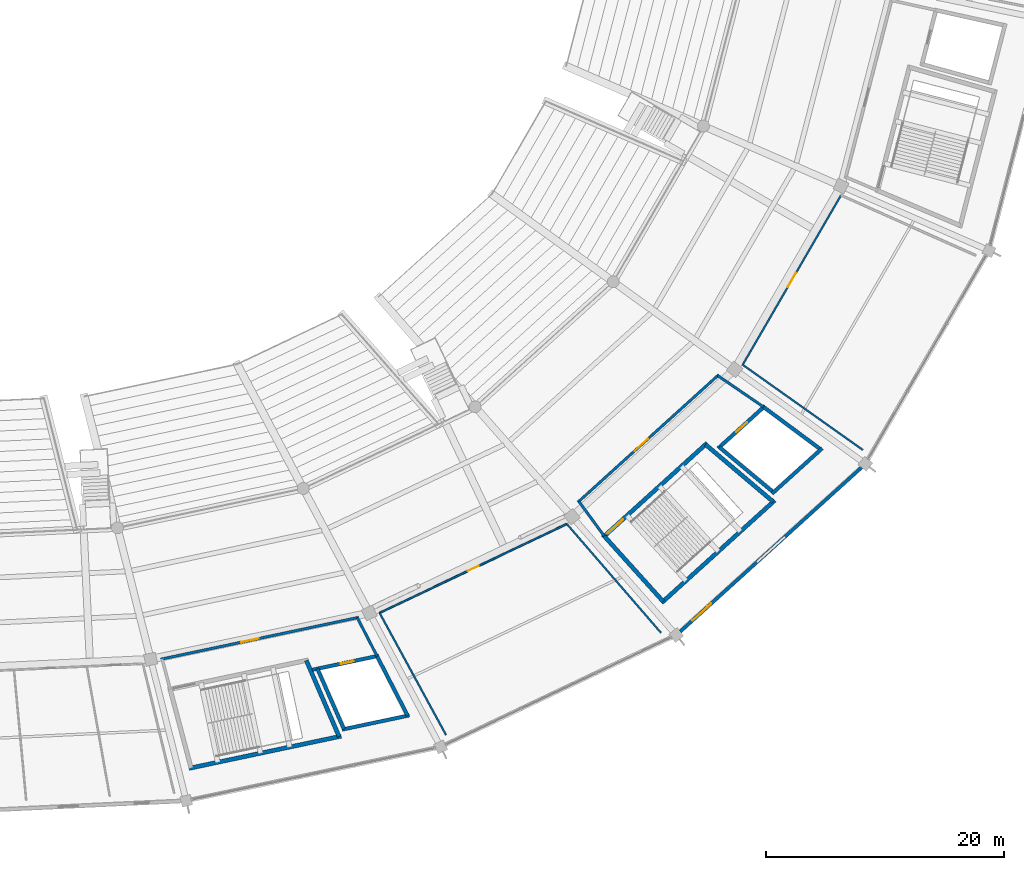
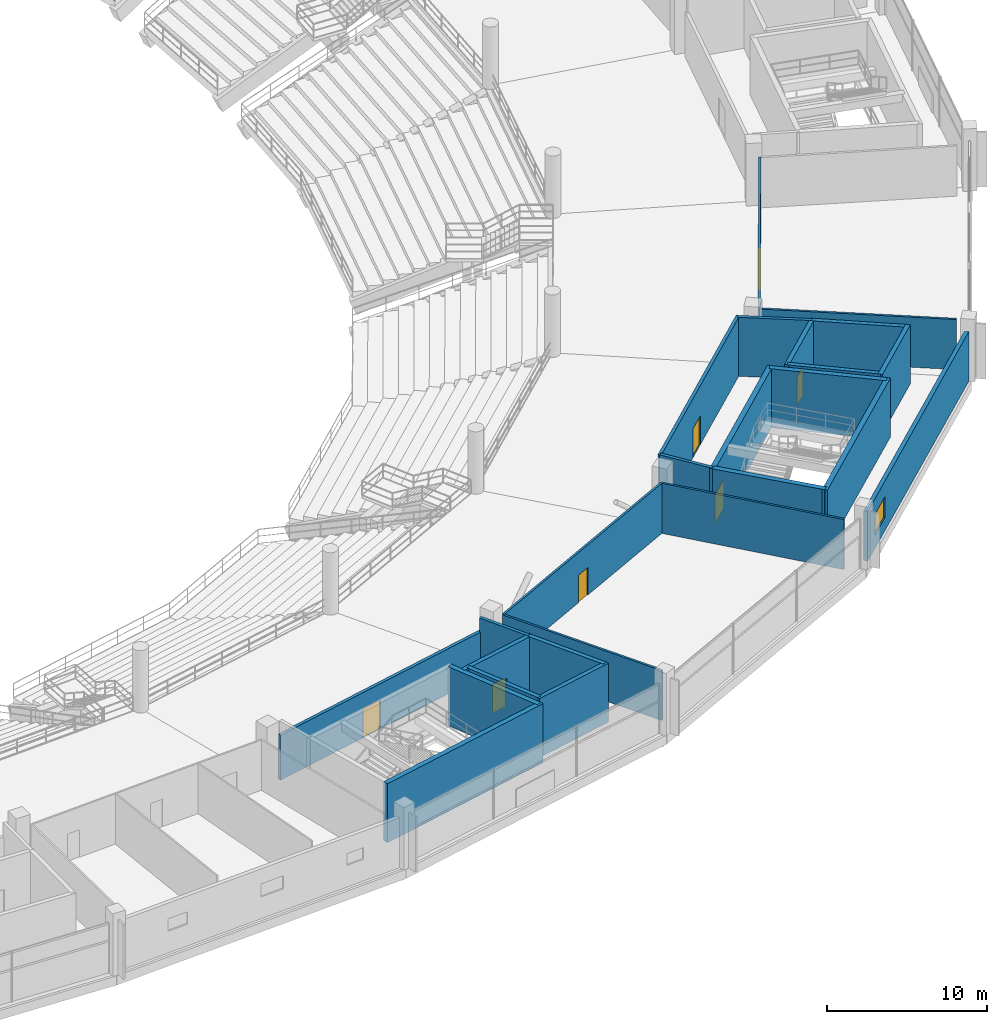
# One storey, part 104 of 156: 25 walls, 7 doors, 1 window, 8 openings.
"""IFC4 building model written with IfcOpenShell, lengths in metres."""

from ifc_helpers import new_model, si_unit, direction, frame, frame_2d, origin, place, context, subcontext, project, spatial, rectangle, extrude, material, layer, layer_set, type_object, element, fill, save


model = new_model("IFC4")

# Units and contexts
model_context = context("Model", 3, precision=1e-05, world=origin(), true_north=direction((0.0, 1.0)))
body_context = subcontext(model_context, "Body", "Model", "MODEL_VIEW")
ifc_project = project(units=[si_unit("LENGTHUNIT", "METRE"), si_unit("AREAUNIT", "SQUARE_METRE"), si_unit("VOLUMEUNIT", "CUBIC_METRE"), si_unit("PLANEANGLEUNIT", "RADIAN"), si_unit("MASSUNIT", "GRAM", prefix="KILO")], contexts=[model_context])

# Site, building, storey
site_placement = place(None, origin())
site = spatial("IfcSite", under=ifc_project, at=site_placement, CompositionType="ELEMENT")
building_placement = place(site_placement, origin())
building = spatial("IfcBuilding", under=site, at=building_placement, Name="Kazemori Nagisa Stadium", CompositionType="ELEMENT")
storey_placement = place(building_placement, frame((0.0, 0.0, 5.780029296875)))
storey = spatial("IfcBuildingStorey", under=building, at=storey_placement, Name="L01", CompositionType="ELEMENT", Elevation=5.780029296875)

# Walls
ifc_material_1 = material(Name="Concrete C40/50 (Fc42)", Category="concrete")
ifc_layer_1 = layer(ifc_material_1, 0.35009765625, Name="Concrete C40/50 (Fc42)", Category="concrete")
ifc_layer_set_1 = layer_set([ifc_layer_1], Name="Concrete C40/50 (Fc42)")
wall_type_1 = type_object("IfcWallType", Name="Wall_W-CORE-350", PredefinedType="SHEAR", material=ifc_layer_set_1)
wall_1_placement = place(storey_placement, frame((144.650390625, 19.745849609375, 0.0), z_axis=(0.0, 0.0, 1.0), x_axis=(0.978345119536, 0.206980257705, 0.0)))
element("IfcWall", 1, at=wall_1_placement, inside=storey, type_object=wall_type_1, Name="Core stair rear shear wall ST06 L01", PredefinedType="SHEAR", context=body_context, shape_type="SweptSolid", body=[
    extrude(rectangle(XDim=13.06689453125, YDim=0.35009765625, at=frame_2d((6.533447265625, 0.0))), origin(), (0.0, 0.0, 1.0), 4.5),
])
wall_2_placement = place(storey_placement, frame((154.5078125, 28.81396484375, 0.0), z_axis=(0.0, 0.0, 1.0), x_axis=(0.395453834155, -0.918485854574, 0.0)))
element("IfcWall", 2, at=wall_2_placement, inside=storey, type_object=wall_type_1, Name="Core stair right shear wall ST06 L01", PredefinedType="SHEAR", context=body_context, shape_type="SweptSolid", body=[
    extrude(rectangle(XDim=6.967529296875, YDim=0.35009765625, at=frame_2d((3.48388671875, 0.0))), origin(), (0.0, 0.0, 1.0), 4.5),
])

# Wall, opening, door
wall_3_placement = place(storey_placement, frame((179.416748046875, 39.139892578125, 0.0), z_axis=(0.0, 0.0, 1.0), x_axis=(0.741348929385, 0.671119784315, 0.0)))
wall_3 = element("IfcWall", 3, at=wall_3_placement, inside=storey, type_object=wall_type_1, Name="Core stair front shear wall ST04 L01", PredefinedType="SHEAR", context=body_context, shape_type="SweptSolid", body=[
    extrude(rectangle(XDim=11.826416015625, YDim=0.35009765625, at=frame_2d((5.9130859375, 0.0))), origin(), (0.0, 0.0, 1.0), 4.5),
])
opening_1_placement = place(wall_3_placement, frame((0.47509765625, 0.0, 0.0)))
opening_1 = element("IfcOpeningElement", 4, at=opening_1_placement, cuts=wall_3, Name="Opening D-ST-1800", PredefinedType="OPENING", context=body_context, shape_type="SweptSolid", body=[
    extrude(rectangle(XDim=1.800048828125, YDim=2.199951171875, at=frame_2d((0.89990234375, 1.10009765625))), frame((0.0, 0.18505859375, 0.0), z_axis=(0.0, -1.0, 0.0), x_axis=(1.0, 0.0, 0.0)), (0.0, 0.0, 1.0), 0.3701171875),
])
ifc_material_2 = material(Name="Galvanised steel sheet", Category="steel")
door_type_1 = type_object("IfcDoorType", Name="Door_D-ST-1800", OperationType="NOTDEFINED", PredefinedType="DOOR", material=ifc_material_2)
door_1_placement = place(opening_1_placement, frame((1.800048828125, 0.0, 0.0), z_axis=(0.0, 0.0, 1.0), x_axis=(-1.0, 0.0, 0.0)))
door_1 = element("IfcDoor", 5, at=door_1_placement, inside=storey, type_object=door_type_1, Name="Exit stair fire door ST04-L01", OperationType="SINGLE_SWING_RIGHT", OverallHeight=2.199951171875, OverallWidth=1.800048828125, PredefinedType="DOOR", context=body_context, shape_type="SweptSolid", body=[
    extrude(rectangle(XDim=1.800048828125, YDim=2.199951171875, at=frame_2d((0.89990234375, 1.10009765625))), frame((0.0, 0.02490234375, 0.0), z_axis=(0.0, -1.0, 0.0), x_axis=(1.0, 0.0, 0.0)), (0.0, 0.0, 1.0), 0.050048828125),
])
fill(opening_1, door_1)

# Walls
wall_4_placement = place(storey_placement, frame((184.361328125, 33.6533203125, 0.0), z_axis=(0.0, 0.0, 1.0), x_axis=(0.741351373721, 0.671117084183, 0.0)))
element("IfcWall", 6, at=wall_4_placement, inside=storey, type_object=wall_type_1, Name="Core stair rear shear wall ST04 L01", PredefinedType="SHEAR", context=body_context, shape_type="SweptSolid", body=[
    extrude(rectangle(XDim=12.830322265625, YDim=0.35009765625, at=frame_2d((6.4150390625, 0.0))), origin(), (0.0, 0.0, 1.0), 4.5),
])
wall_5_placement = place(storey_placement, frame((179.54638671875, 39.25732421875, 0.0), z_axis=(0.0, 0.0, 1.0), x_axis=(0.669463145673, -0.742845270958, 0.0)))
element("IfcWall", 7, at=wall_5_placement, inside=storey, type_object=wall_type_1, Name="Core stair left shear wall ST04 L01", PredefinedType="SHEAR", context=body_context, shape_type="SweptSolid", body=[
    extrude(rectangle(XDim=7.385986328125, YDim=0.35009765625, at=frame_2d((3.69287109375, 0.0))), origin(), (0.0, 0.0, 1.0), 4.5),
])
wall_6_placement = place(storey_placement, frame((188.0546875, 46.95947265625, 0.0), z_axis=(0.0, 0.0, 1.0), x_axis=(0.763422324031, -0.64589964791, 0.0)))
element("IfcWall", 8, at=wall_6_placement, inside=storey, type_object=wall_type_1, Name="Core stair right shear wall ST04 L01", PredefinedType="SHEAR", context=body_context, shape_type="SweptSolid", body=[
    extrude(rectangle(XDim=7.45166015625, YDim=0.35009765625, at=frame_2d((3.725830078125, 0.0))), origin(), (0.0, 0.0, 1.0), 4.5),
])

# Wall, opening, window
ifc_material_3 = material(Name="Concrete C40/50 (Fc42) precast", Category="concrete")
ifc_layer_2 = layer(ifc_material_3, 0.27490234375, Name="Concrete C40/50 (Fc42) precast", Category="concrete")
ifc_layer_set_2 = layer_set([ifc_layer_2], Name="Concrete C40/50 (Fc42) precast")
wall_type_2 = type_object("IfcWallType", Name="Wall_W-EXT-275", PredefinedType="SOLIDWALL", material=ifc_layer_set_2)
wall_7_placement = place(storey_placement, frame((185.924072265625, 31.236328125, 0.0), z_axis=(0.0, 0.0, 1.0), x_axis=(0.741352367697, 0.671115986183, 0.0)))
wall_7 = element("IfcWall", 9, at=wall_7_placement, inside=storey, type_object=wall_type_2, Name="Exterior facade wall L01-25", PredefinedType="SOLIDWALL", context=body_context, shape_type="SweptSolid", body=[
    extrude(rectangle(XDim=20.56396484375, YDim=0.27490234375, at=frame_2d((10.281982421875, 0.0))), origin(), (0.0, 0.0, 1.0), 3.7978515625),
])
opening_2_placement = place(wall_7_placement, frame((1.39990234375, 0.0, 1.0)))
opening_2 = element("IfcOpeningElement", 10, at=opening_2_placement, cuts=wall_7, Name="Opening WIN-L01-2100", PredefinedType="OPENING", context=body_context, shape_type="SweptSolid", body=[
    extrude(rectangle(XDim=2.10009765625, YDim=1.60009765625, at=frame_2d((1.050048828125, 0.800048828125))), frame((0.0, 0.1474609375, 0.0), z_axis=(0.0, -1.0, 0.0), x_axis=(1.0, 0.0, 0.0)), (0.0, 0.0, 1.0), 0.294921875),
])
ifc_material_4 = material(Name="Low-e laminated double glazing", Category="glass")
window_type = type_object("IfcWindowType", Name="Window_WIN-L01-2100", PartitioningType="SINGLE_PANEL", PredefinedType="WINDOW", material=ifc_material_4)
window_placement = place(opening_2_placement, origin())
window = element("IfcWindow", 11, at=window_placement, inside=storey, type_object=window_type, Name="Core lobby window L01-25", OverallHeight=1.60009765625, OverallWidth=2.10009765625, PartitioningType="SINGLE_PANEL", PredefinedType="WINDOW", context=body_context, shape_type="SweptSolid", body=[
    extrude(rectangle(XDim=2.10009765625, YDim=1.60009765625, at=frame_2d((1.050048828125, 0.800048828125))), frame((0.0, 0.030029296875, 0.0), z_axis=(0.0, -1.0, 0.0), x_axis=(1.0, 0.0, 0.0)), (0.0, 0.0, 1.0), 0.06005859375),
])
fill(opening_2, window)

# Wall, opening, door
ifc_material_5 = material(Name="Concrete C36/45 (Fc36)", Category="concrete")
ifc_layer_3 = layer(ifc_material_5, 0.219970703125, Name="Concrete C36/45 (Fc36)", Category="concrete")
ifc_layer_set_3 = layer_set([ifc_layer_3], Name="Concrete C36/45 (Fc36)")
wall_type_3 = type_object("IfcWallType", Name="Wall_W-LOBBY-220", PredefinedType="SOLIDWALL", material=ifc_layer_set_3)
wall_8_placement = place(storey_placement, frame((142.284423828125, 28.91357421875, 0.0), z_axis=(0.0, 0.0, 1.0), x_axis=(0.97834522483, 0.206979760008, 0.0)))
wall_8 = element("IfcWall", 12, at=wall_8_placement, inside=storey, type_object=wall_type_3, Name="Core lobby fire wall ST06 L01", PredefinedType="SOLIDWALL", context=body_context, shape_type="SweptSolid", body=[
    extrude(rectangle(XDim=16.98291015625, YDim=0.219970703125, at=frame_2d((8.491455078125, 0.0))), origin(), (0.0, 0.0, 1.0), 3.447998046875),
])
opening_3_placement = place(wall_8_placement, frame((6.903076171875, 0.0, 0.0)))
opening_3 = element("IfcOpeningElement", 13, at=opening_3_placement, cuts=wall_8, Name="Opening D-FFL-1500", PredefinedType="OPENING", context=body_context, shape_type="SweptSolid", body=[
    extrude(rectangle(XDim=1.5, YDim=2.199951171875, at=frame_2d((0.75, 1.10009765625))), frame((0.0, 0.119873046875, 0.0), z_axis=(0.0, -1.0, 0.0), x_axis=(1.0, 0.0, 0.0)), (0.0, 0.0, 1.0), 0.239990234375),
])
door_type_2 = type_object("IfcDoorType", Name="Door_D-FFL-1500", OperationType="NOTDEFINED", PredefinedType="DOOR", material=ifc_material_2)
door_2_placement = place(opening_3_placement, frame((1.5, 0.0, 0.0), z_axis=(0.0, 0.0, 1.0), x_axis=(-1.0, 0.0, 0.0)))
door_2 = element("IfcDoor", 14, at=door_2_placement, inside=storey, type_object=door_type_2, Name="Protected lobby fire door ST06-L01", OperationType="DOUBLE_DOOR_SINGLE_SWING", OverallHeight=2.199951171875, OverallWidth=1.5, PredefinedType="DOOR", context=body_context, shape_type="SweptSolid", body=[
    extrude(rectangle(XDim=1.5, YDim=2.199951171875, at=frame_2d((0.75, 1.10009765625))), frame((0.0, 0.02490234375, 0.0), z_axis=(0.0, -1.0, 0.0), x_axis=(1.0, 0.0, 0.0)), (0.0, 0.0, 1.0), 0.050048828125),
])
fill(opening_3, door_2)

# Wall
wall_9_placement = place(storey_placement, frame((158.7919921875, 32.406005859375, 0.0), z_axis=(0.0, 0.0, 1.0), x_axis=(0.457349531643, -0.889287021105, 0.0)))
element("IfcWall", 15, at=wall_9_placement, inside=storey, type_object=wall_type_3, Name="Core lobby right wall ST06 L01", PredefinedType="SOLIDWALL", context=body_context, shape_type="SweptSolid", body=[
    extrude(rectangle(XDim=3.631591796875, YDim=0.219970703125, at=frame_2d((1.81591796875, 0.0))), origin(), (0.0, 0.0, 1.0), 4.5),
])

# Wall, opening, door
wall_10_placement = place(storey_placement, frame((177.327392578125, 42.10205078125, 0.0), z_axis=(0.0, 0.0, 1.0), x_axis=(0.741351035574, 0.671117457717, 0.0)))
wall_10 = element("IfcWall", 16, at=wall_10_placement, inside=storey, type_object=wall_type_3, Name="Core lobby fire wall ST04 L01", PredefinedType="SOLIDWALL", context=body_context, shape_type="SweptSolid", body=[
    extrude(rectangle(XDim=15.96923828125, YDim=0.219970703125, at=frame_2d((7.984619140625, 0.0))), origin(), (0.0, 0.0, 1.0), 4.5),
])
opening_4_placement = place(wall_10_placement, frame((6.447021484375, 0.0, 0.0)))
opening_4 = element("IfcOpeningElement", 17, at=opening_4_placement, cuts=wall_10, Name="Opening D-FFL-1500", PredefinedType="OPENING", context=body_context, shape_type="SweptSolid", body=[
    extrude(rectangle(XDim=1.5, YDim=2.199951171875, at=frame_2d((0.75, 1.10009765625))), frame((0.0, 0.119873046875, 0.0), z_axis=(0.0, -1.0, 0.0), x_axis=(1.0, 0.0, 0.0)), (0.0, 0.0, 1.0), 0.239990234375),
])
door_3_placement = place(opening_4_placement, frame((1.5, 0.0, 0.0), z_axis=(0.0, 0.0, 1.0), x_axis=(-1.0, 0.0, 0.0)))
door_3 = element("IfcDoor", 18, at=door_3_placement, inside=storey, type_object=door_type_2, Name="Protected lobby fire door ST04-L01", OperationType="DOUBLE_DOOR_SINGLE_SWING", OverallHeight=2.199951171875, OverallWidth=1.5, PredefinedType="DOOR", context=body_context, shape_type="SweptSolid", body=[
    extrude(rectangle(XDim=1.5, YDim=2.199951171875, at=frame_2d((0.75, 1.10009765625))), frame((0.0, 0.02490234375, 0.0), z_axis=(0.0, -1.0, 0.0), x_axis=(1.0, 0.0, 0.0)), (0.0, 0.0, 1.0), 0.050048828125),
])
fill(opening_4, door_3)

# Walls
wall_11_placement = place(storey_placement, frame((177.408935546875, 42.176025390625, 0.0), z_axis=(0.0, 0.0, 1.0), x_axis=(0.590836915359, -0.806791013491, 0.0)))
element("IfcWall", 19, at=wall_11_placement, inside=storey, type_object=wall_type_3, Name="Core lobby left wall ST04 L01", PredefinedType="SOLIDWALL", context=body_context, shape_type="SweptSolid", body=[
    extrude(rectangle(XDim=3.61767578125, YDim=0.219970703125, at=frame_2d((1.808837890625, 0.0))), origin(), (0.0, 0.0, 1.0), 4.5),
])
wall_12_placement = place(storey_placement, frame((189.084716796875, 52.74560546875, 0.0), z_axis=(0.0, 0.0, 1.0), x_axis=(0.825385410642, -0.564569680287, 0.0)))
element("IfcWall", 20, at=wall_12_placement, inside=storey, type_object=wall_type_3, Name="Core lobby right wall ST04 L01", PredefinedType="SOLIDWALL", context=body_context, shape_type="SweptSolid", body=[
    extrude(rectangle(XDim=4.673828125, YDim=0.219970703125, at=frame_2d((2.3369140625, 0.0))), origin(), (0.0, 0.0, 1.0), 4.5),
])

# Wall, opening, door
ifc_material_6 = material(Name="Moisture-resistant gypsum board", Category="gypsum")
ifc_layer_4 = layer(ifc_material_6, 0.14990234375, Name="Moisture-resistant gypsum board", Category="gypsum")
ifc_layer_set_4 = layer_set([ifc_layer_4], Name="Moisture-resistant gypsum board")
wall_type_4 = type_object("IfcWallType", Name="Wall_W-PART-150", PredefinedType="PARTITIONING", material=ifc_layer_set_4)
wall_13_placement = place(storey_placement, frame((160.667236328125, 32.803955078125, 0.0), z_axis=(0.0, 0.0, 1.0), x_axis=(0.903217202186, 0.429183743488, 0.0)))
wall_13 = element("IfcWall", 21, at=wall_13_placement, inside=storey, type_object=wall_type_4, Name="Room corridor partition L01-B24", PredefinedType="PARTITIONING", context=body_context, shape_type="SweptSolid", body=[
    extrude(rectangle(XDim=17.419189453125, YDim=0.14990234375, at=frame_2d((8.70947265625, 0.0))), origin(), (0.0, 0.0, 1.0), 3.820068359375),
])
opening_5_placement = place(wall_13_placement, frame((8.199951171875, 0.0, 0.0)))
opening_5 = element("IfcOpeningElement", 22, at=opening_5_placement, cuts=wall_13, Name="Opening D-STR-1020", PredefinedType="OPENING", context=body_context, shape_type="SweptSolid", body=[
    extrude(rectangle(XDim=1.02001953125, YDim=2.10009765625, at=frame_2d((0.510009765625, 1.050048828125))), frame((0.0, 0.0849609375, 0.0), z_axis=(0.0, -1.0, 0.0), x_axis=(1.0, 0.0, 0.0)), (0.0, 0.0, 1.0), 0.169921875),
])
ifc_material_7 = material(Name="Powder-coated steel sheet", Category="steel")
door_type_3 = type_object("IfcDoorType", Name="Door_D-STR-1020", OperationType="NOTDEFINED", PredefinedType="DOOR", material=ifc_material_7)
door_4_placement = place(opening_5_placement, origin())
door_4 = element("IfcDoor", 23, at=door_4_placement, inside=storey, type_object=door_type_3, Name="Room entrance door D-STR-1020 L01-B24", OperationType="SINGLE_SWING_RIGHT", OverallHeight=2.10009765625, OverallWidth=1.02001953125, PredefinedType="DOOR", context=body_context, shape_type="SweptSolid", body=[
    extrude(rectangle(XDim=1.02001953125, YDim=2.10009765625, at=frame_2d((0.510009765625, 1.050048828125))), frame((0.0, 0.02490234375, 0.0), z_axis=(0.0, -1.0, 0.0), x_axis=(1.0, 0.0, 0.0)), (0.0, 0.0, 1.0), 0.050048828125),
])
fill(opening_5, door_4)

# Walls
wall_14_placement = place(storey_placement, frame((160.667236328125, 32.803955078125, 0.0), z_axis=(0.0, 0.0, 1.0), x_axis=(0.478125060974, -0.878291765912, 0.0)))
element("IfcWall", 24, at=wall_14_placement, inside=storey, type_object=wall_type_4, Name="Room radial partition L01-B24-L", PredefinedType="PARTITIONING", context=body_context, shape_type="SweptSolid", body=[
    extrude(rectangle(XDim=11.671875, YDim=0.14990234375, at=frame_2d((5.8359375, 0.0))), origin(), (0.0, 0.0, 1.0), 3.820068359375),
])
wall_15_placement = place(storey_placement, frame((176.400634765625, 40.280029296875, 0.0), z_axis=(0.0, 0.0, 1.0), x_axis=(0.654293035882, -0.756241114458, 0.0)))
element("IfcWall", 25, at=wall_15_placement, inside=storey, type_object=wall_type_4, Name="Room radial partition L01-B24-R", PredefinedType="PARTITIONING", context=body_context, shape_type="SweptSolid", body=[
    extrude(rectangle(XDim=12.091064453125, YDim=0.14990234375, at=frame_2d((6.04541015625, 0.0))), origin(), (0.0, 0.0, 1.0), 3.820068359375),
])

# Wall, opening, door
wall_16_placement = place(storey_placement, frame((191.178955078125, 53.658447265625, 0.0), z_axis=(0.0, 0.0, 1.0), x_axis=(0.501617777052, 0.865089362867, 0.0)))
wall_16 = element("IfcWall", 26, at=wall_16_placement, inside=storey, type_object=wall_type_4, Name="Room corridor partition L01-B26", PredefinedType="PARTITIONING", context=body_context, shape_type="SweptSolid", body=[
    extrude(rectangle(XDim=16.4638671875, YDim=0.14990234375, at=frame_2d((8.23193359375, 0.0))), origin(), (0.0, 0.0, 1.0), 3.820068359375),
])
opening_6_placement = place(wall_16_placement, frame((7.556884765625, 0.0, 0.0)))
opening_6 = element("IfcOpeningElement", 27, at=opening_6_placement, cuts=wall_16, Name="Opening D-CON-1350", PredefinedType="OPENING", context=body_context, shape_type="SweptSolid", body=[
    extrude(rectangle(XDim=1.35009765625, YDim=2.14990234375, at=frame_2d((0.675048828125, 1.074951171875))), frame((0.0, 0.0849609375, 0.0), z_axis=(0.0, -1.0, 0.0), x_axis=(1.0, 0.0, 0.0)), (0.0, 0.0, 1.0), 0.169921875),
])
ifc_material_8 = material(Name="Anodised aluminium 6063-T5", Category="aluminium")
door_type_4 = type_object("IfcDoorType", Name="Door_D-CON-1350", OperationType="NOTDEFINED", PredefinedType="DOOR", material=ifc_material_8)
door_5_placement = place(opening_6_placement, origin())
door_5 = element("IfcDoor", 28, at=door_5_placement, inside=storey, type_object=door_type_4, Name="Room entrance door D-CON-1350 L01-B26", OperationType="SINGLE_SWING_LEFT", OverallHeight=2.14990234375, OverallWidth=1.35009765625, PredefinedType="DOOR", context=body_context, shape_type="SweptSolid", body=[
    extrude(rectangle(XDim=1.35009765625, YDim=2.14990234375, at=frame_2d((0.675048828125, 1.074951171875))), frame((0.0, 0.02490234375, 0.0), z_axis=(0.0, -1.0, 0.0), x_axis=(1.0, 0.0, 0.0)), (0.0, 0.0, 1.0), 0.050048828125),
])
fill(opening_6, door_5)

# Wall
wall_17_placement = place(storey_placement, frame((191.178955078125, 53.658447265625, 0.0), z_axis=(0.0, 0.0, 1.0), x_axis=(0.815753527099, -0.578399674122, 0.0)))
element("IfcWall", 29, at=wall_17_placement, inside=storey, type_object=wall_type_4, Name="Room radial partition L01-B26-L", PredefinedType="PARTITIONING", context=body_context, shape_type="SweptSolid", body=[
    extrude(rectangle(XDim=12.38232421875, YDim=0.14990234375, at=frame_2d((6.191162109375, 0.0))), origin(), (0.0, 0.0, 1.0), 3.820068359375),
])

# Wall, opening, door
ifc_layer_5 = layer(ifc_material_1, 0.300048828125, Name="Concrete C40/50 (Fc42)", Category="concrete")
ifc_layer_set_5 = layer_set([ifc_layer_5], Name="Concrete C40/50 (Fc42)")
wall_type_5 = type_object("IfcWallType", Name="Wall_W-SHAFT-300", PredefinedType="SHEAR", material=ifc_layer_set_5)
wall_18_placement = place(storey_placement, frame((154.999267578125, 28.022705078125, 0.0), z_axis=(0.0, 0.0, 1.0), x_axis=(0.978345218992, 0.206979787601, 0.0)))
wall_18 = element("IfcWall", 30, at=wall_18_placement, inside=storey, type_object=wall_type_5, Name="Lift shaft front wall LP2 L01", PredefinedType="SHEAR", context=body_context, shape_type="SweptSolid", body=[
    extrude(rectangle(XDim=5.724365234375, YDim=0.300048828125, at=frame_2d((2.8623046875, 0.0))), origin(), (0.0, 0.0, 1.0), 4.5),
])
opening_7_placement = place(wall_18_placement, frame((2.4619140625, 0.0, 0.0)))
opening_7 = element("IfcOpeningElement", 31, at=opening_7_placement, cuts=wall_18, Name="Opening LD-PAX", PredefinedType="OPENING", context=body_context, shape_type="SweptSolid", body=[
    extrude(rectangle(XDim=1.10009765625, YDim=2.199951171875, at=frame_2d((0.550048828125, 1.10009765625))), frame((0.0, 0.159912109375, 0.0), z_axis=(0.0, -1.0, 0.0), x_axis=(1.0, 0.0, 0.0)), (0.0, 0.0, 1.0), 0.320068359375),
])
ifc_material_9 = material(Name="Stainless steel SUS304", Category="steel")
door_type_5 = type_object("IfcDoorType", Name="Door_LD-PAX", OperationType="SLIDING_TO_RIGHT", PredefinedType="DOOR", material=ifc_material_9)
door_6_placement = place(opening_7_placement, origin())
door_6 = element("IfcDoor", 32, at=door_6_placement, inside=storey, type_object=door_type_5, Name="Lift landing door LP2-L01", OperationType="SLIDING_TO_RIGHT", OverallHeight=2.199951171875, OverallWidth=1.10009765625, PredefinedType="DOOR", context=body_context, shape_type="SweptSolid", body=[
    extrude(rectangle(XDim=1.10009765625, YDim=2.199951171875, at=frame_2d((0.550048828125, 1.10009765625))), frame((0.0, 0.02490234375, 0.0), z_axis=(0.0, -1.0, 0.0), x_axis=(1.0, 0.0, 0.0)), (0.0, 0.0, 1.0), 0.050048828125),
])
fill(opening_7, door_6)

# Walls
wall_19_placement = place(storey_placement, frame((157.522705078125, 23.00634765625, 0.0), z_axis=(0.0, 0.0, 1.0), x_axis=(0.978347069901, 0.206971038591, 0.0)))
element("IfcWall", 33, at=wall_19_placement, inside=storey, type_object=wall_type_5, Name="Lift shaft B wall LP2 L01", PredefinedType="SHEAR", context=body_context, shape_type="SweptSolid", body=[
    extrude(rectangle(XDim=5.7763671875, YDim=0.300048828125, at=frame_2d((2.88818359375, 0.0))), origin(), (0.0, 0.0, 1.0), 4.5),
])
wall_20_placement = place(storey_placement, frame((155.439697265625, 28.115966796875, 0.0), z_axis=(0.0, 0.0, 1.0), x_axis=(0.402005363577, -0.915637312289, 0.0)))
element("IfcWall", 34, at=wall_20_placement, inside=storey, type_object=wall_type_5, Name="Lift shaft L wall LP2 L01", PredefinedType="SHEAR", context=body_context, shape_type="SweptSolid", body=[
    extrude(rectangle(XDim=5.546630859375, YDim=0.300048828125, at=frame_2d((2.7734375, 0.0))), origin(), (0.0, 0.0, 1.0), 4.5),
])
wall_21_placement = place(storey_placement, frame((160.452880859375, 29.176513671875, 0.0), z_axis=(0.0, 0.0, 1.0), x_axis=(0.457368592987, -0.889277217829, 0.0)))
element("IfcWall", 35, at=wall_21_placement, inside=storey, type_object=wall_type_5, Name="Lift shaft R wall LP2 L01", PredefinedType="SHEAR", context=body_context, shape_type="SweptSolid", body=[
    extrude(rectangle(XDim=5.62890625, YDim=0.300048828125, at=frame_2d((2.814453125, 0.0))), origin(), (0.0, 0.0, 1.0), 4.5),
])

# Wall, opening, door
wall_22_placement = place(storey_placement, frame((189.10302734375, 46.631103515625, 0.0), z_axis=(0.0, 0.0, 1.0), x_axis=(0.741350155641, 0.671118429736, 0.0)))
wall_22 = element("IfcWall", 36, at=wall_22_placement, inside=storey, type_object=wall_type_5, Name="Lift shaft front wall FL4 L01", PredefinedType="SHEAR", context=body_context, shape_type="SweptSolid", body=[
    extrude(rectangle(XDim=5.3291015625, YDim=0.300048828125, at=frame_2d((2.66455078125, 0.0))), origin(), (0.0, 0.0, 1.0), 4.5),
])
opening_8_placement = place(wall_22_placement, frame((2.06494140625, 0.0, 0.0)))
opening_8 = element("IfcOpeningElement", 37, at=opening_8_placement, cuts=wall_22, Name="Opening LD-FF", PredefinedType="OPENING", context=body_context, shape_type="SweptSolid", body=[
    extrude(rectangle(XDim=1.199951171875, YDim=2.199951171875, at=frame_2d((0.60009765625, 1.10009765625))), frame((0.0, 0.159912109375, 0.0), z_axis=(0.0, -1.0, 0.0), x_axis=(1.0, 0.0, 0.0)), (0.0, 0.0, 1.0), 0.320068359375),
])
door_type_6 = type_object("IfcDoorType", Name="Door_LD-FF", OperationType="SLIDING_TO_LEFT", PredefinedType="DOOR", material=ifc_material_9)
door_7_placement = place(opening_8_placement, origin())
door_7 = element("IfcDoor", 38, at=door_7_placement, inside=storey, type_object=door_type_6, Name="Lift landing door FL4-L01", OperationType="SLIDING_TO_LEFT", OverallHeight=2.199951171875, OverallWidth=1.199951171875, PredefinedType="DOOR", context=body_context, shape_type="SweptSolid", body=[
    extrude(rectangle(XDim=1.199951171875, YDim=2.199951171875, at=frame_2d((0.60009765625, 1.10009765625))), frame((0.0, 0.02490234375, 0.0), z_axis=(0.0, -1.0, 0.0), x_axis=(1.0, 0.0, 0.0)), (0.0, 0.0, 1.0), 0.050048828125),
])
fill(opening_8, door_7)

# Walls
wall_23_placement = place(storey_placement, frame((193.654296875, 42.832275390625, 0.0), z_axis=(0.0, 0.0, 1.0), x_axis=(0.74134208775, 0.671127341815, 0.0)))
element("IfcWall", 39, at=wall_23_placement, inside=storey, type_object=wall_type_5, Name="Lift shaft B wall FL4 L01", PredefinedType="SHEAR", context=body_context, shape_type="SweptSolid", body=[
    extrude(rectangle(XDim=5.674560546875, YDim=0.300048828125, at=frame_2d((2.83740234375, 0.0))), origin(), (0.0, 0.0, 1.0), 4.5),
])
wall_24_placement = place(storey_placement, frame((189.214111328125, 46.73193359375, 0.0), z_axis=(0.0, 0.0, 1.0), x_axis=(0.767711354146, -0.640795815151, 0.0)))
element("IfcWall", 40, at=wall_24_placement, inside=storey, type_object=wall_type_5, Name="Lift shaft L wall FL4 L01", PredefinedType="SHEAR", context=body_context, shape_type="SweptSolid", body=[
    extrude(rectangle(XDim=5.9287109375, YDim=0.300048828125, at=frame_2d((2.96435546875, 0.0))), origin(), (0.0, 0.0, 1.0), 4.5),
])
wall_25_placement = place(storey_placement, frame((192.9423828125, 50.10693359375, 0.0), z_axis=(0.0, 0.0, 1.0), x_axis=(0.803101805449, -0.59584183311, 0.0)))
element("IfcWall", 41, at=wall_25_placement, inside=storey, type_object=wall_type_5, Name="Lift shaft R wall FL4 L01", PredefinedType="SHEAR", context=body_context, shape_type="SweptSolid", body=[
    extrude(rectangle(XDim=5.986328125, YDim=0.300048828125, at=frame_2d((2.9931640625, 0.0))), origin(), (0.0, 0.0, 1.0), 4.5),
])

save(model, "model.ifc")
